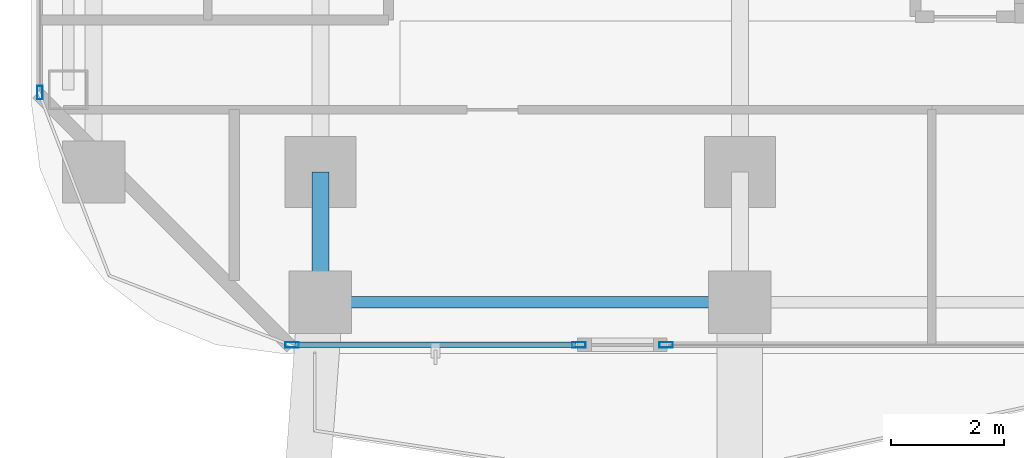
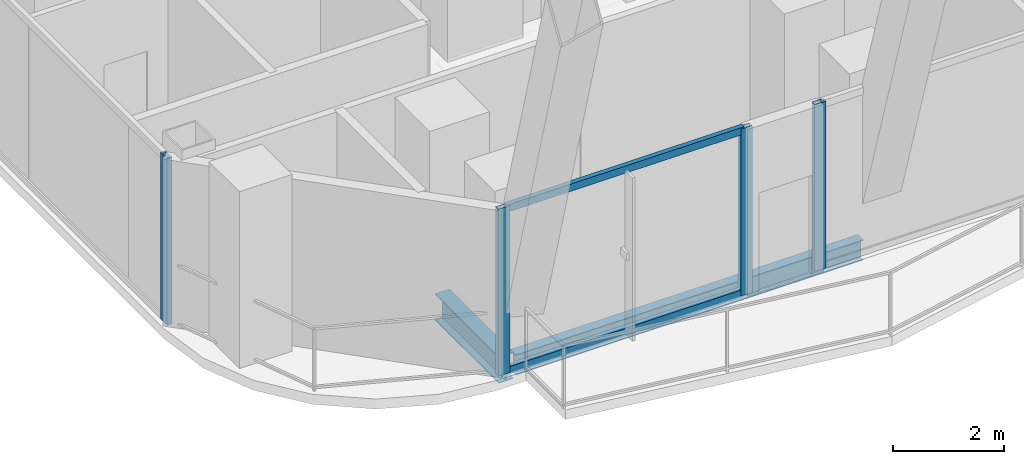
# One storey, part 2 of 30: 6 members, 2 beams, 3 elements without a shape of their own.
"""IFC4 building model written with IfcOpenShell, lengths in metres."""

from ifc_helpers import new_model, si_unit, direction, frame, origin, origin_2d, place, context, subcontext, project, spatial, hollow_rectangle, i_section, extrude, material, layer, layer_set, material_profile, profile_set, type_object, element, aggregate, save


model = new_model("IFC4")

# Units and contexts
model_context = context("Model", 3, precision=1e-05, world=origin(), true_north=direction((0.0, 1.0)))
body_context = subcontext(model_context, "Body", "Model", "MODEL_VIEW")
ifc_project = project(units=[si_unit("LENGTHUNIT", "METRE"), si_unit("AREAUNIT", "SQUARE_METRE"), si_unit("VOLUMEUNIT", "CUBIC_METRE"), si_unit("PLANEANGLEUNIT", "RADIAN"), si_unit("MASSUNIT", "GRAM", prefix="KILO")], contexts=[model_context])

# Site, building, storey
site_placement = place(None, origin())
site = spatial("IfcSite", under=ifc_project, at=site_placement, CompositionType="ELEMENT")
building_placement = place(site_placement, origin())
building = spatial("IfcBuilding", under=site, at=building_placement, Name="Khorvyn Point Tower", CompositionType="ELEMENT")
storey_placement = place(building_placement, frame((0.0, 0.0, 117.300048828125)))
storey = spatial("IfcBuildingStorey", under=building, at=storey_placement, Name="L29", CompositionType="ELEMENT", Elevation=117.300048828125)

# Curtain wall, member
ifc_material_1 = material(Name="Anodised aluminium 6063-T6 and laminated Low-E glass", Category="aluminium")
ifc_layer = layer(ifc_material_1, 0.18994140625)
ifc_layer_set = layer_set([ifc_layer], Name="Stick-Built Acoustic Curtain Wall CW-SYS-03")
curtain_wall_type = type_object("IfcCurtainWallType", Name="Stick-Built Acoustic Curtain Wall CW-SYS-03", PredefinedType="NOTDEFINED", material=ifc_layer_set)
curtain_wall_1_placement = place(storey_placement, origin())
curtain_wall_1 = element("IfcCurtainWall", 1, at=curtain_wall_1_placement, inside=storey, type_object=curtain_wall_type, Name="Curtain Wall", PredefinedType="NOTDEFINED")
ifc_material_2 = material(Name="Anodised aluminium 6063-T6", Category="aluminium")
ifc_material_profile_1 = material_profile(ifc_material_2, hollow_rectangle(XDim=0.10009765625, YDim=0.239990234375, WallThickness=0.0048828125, at=origin_2d()))
ifc_profile_set_1 = profile_set([ifc_material_profile_1], Name="Anodised aluminium 6063-T6 ALU-MUL-100x240")
member_type_1 = type_object("IfcMemberType", Name="Anodised Aluminium 6063-T6 Mullion ALU-MUL-100x240", PredefinedType="MULLION", material=ifc_profile_set_1)
member_1_placement = place(storey_placement, frame((-8.700927734375, -17.85009765625, 0.0), z_axis=(0.0, 0.0, 1.0), x_axis=(0.0, -1.0, 0.0)))
member_1 = element("IfcMember", 2, at=member_1_placement, type_object=member_type_1, Name="Transom", PredefinedType="MULLION", context=body_context, shape_type="SweptSolid", body=[
    extrude(hollow_rectangle(XDim=0.10009765625, YDim=0.239990234375, WallThickness=0.0048828125, at=origin_2d()), origin(), (0.0, 0.0, 1.0), 3.679931640625),
])
aggregate(curtain_wall_1, [member_1])

# Curtain wall, members
curtain_wall_2_placement = place(storey_placement, origin())
curtain_wall_2 = element("IfcCurtainWall", 3, at=curtain_wall_2_placement, inside=storey, type_object=curtain_wall_type, Name="Curtain Wall", PredefinedType="NOTDEFINED")
member_2_placement = place(storey_placement, frame((-10.240966796875, -17.85009765625, 0.0), z_axis=(0.0, 0.0, 1.0), x_axis=(0.0, -1.0, 0.0)))
member_2 = element("IfcMember", 4, at=member_2_placement, type_object=member_type_1, Name="Transom", PredefinedType="MULLION", context=body_context, shape_type="SweptSolid", body=[
    extrude(hollow_rectangle(XDim=0.10009765625, YDim=0.239990234375, WallThickness=0.0048828125, at=origin_2d()), origin(), (0.0, 0.0, 1.0), 3.679931640625),
])
member_3_placement = place(storey_placement, frame((-15.300048828125, -17.85009765625, 0.0), z_axis=(0.0, 0.0, 1.0), x_axis=(0.0, -1.0, 0.0)))
member_3 = element("IfcMember", 5, at=member_3_placement, type_object=member_type_1, Name="Transom", PredefinedType="MULLION", context=body_context, shape_type="SweptSolid", body=[
    extrude(hollow_rectangle(XDim=0.10009765625, YDim=0.239990234375, WallThickness=0.0048828125, at=origin_2d()), origin(), (0.0, 0.0, 1.0), 3.679931640625),
])

# Curtain wall, member
curtain_wall_3_placement = place(storey_placement, origin())
curtain_wall_3 = element("IfcCurtainWall", 6, at=curtain_wall_3_placement, inside=storey, type_object=curtain_wall_type, Name="Curtain Wall", PredefinedType="NOTDEFINED")
member_4_placement = place(storey_placement, frame((-19.75, -13.39990234375, 0.0), z_axis=(0.0, 0.0, 1.0), x_axis=(-1.0, 0.0, 0.0)))
member_4 = element("IfcMember", 7, at=member_4_placement, type_object=member_type_1, Name="Transom", PredefinedType="MULLION", context=body_context, shape_type="SweptSolid", body=[
    extrude(hollow_rectangle(XDim=0.10009765625, YDim=0.239990234375, WallThickness=0.0048828125, at=origin_2d()), origin(), (0.0, 0.0, 1.0), 3.679931640625),
])
aggregate(curtain_wall_3, [member_4])

# Member
ifc_material_profile_2 = material_profile(ifc_material_2, hollow_rectangle(XDim=0.10009765625, YDim=0.159912109375, WallThickness=0.00439453125, at=origin_2d()))
ifc_profile_set_2 = profile_set([ifc_material_profile_2], Name="Anodised aluminium 6063-T6 ALU-TRN-100x160")
member_type_2 = type_object("IfcMemberType", Name="Anodised Aluminium 6063-T6 Transom ALU-TRN-100x160", PredefinedType="USERDEFINED", material=ifc_profile_set_2)
member_5_placement = place(storey_placement, frame((-10.291015625, -17.85009765625, 0.050048828125), z_axis=(-1.0, 0.0, 0.0), x_axis=(0.0, -1.0, 0.0)))
member_5 = element("IfcMember", 8, at=member_5_placement, type_object=member_type_2, Name="Transom", ObjectType="TRANSOM", PredefinedType="USERDEFINED", context=body_context, shape_type="SweptSolid", body=[
    extrude(hollow_rectangle(XDim=0.10009765625, YDim=0.159912109375, WallThickness=0.00439453125, at=origin_2d()), origin(), (0.0, 0.0, 1.0), 4.958984375),
])

member_6_placement = place(storey_placement, frame((-10.291015625, -17.85009765625, 3.6298828125), z_axis=(-1.0, 0.0, 0.0), x_axis=(0.0, -1.0, 0.0)))
member_6 = element("IfcMember", 9, at=member_6_placement, type_object=member_type_2, Name="Transom", ObjectType="TRANSOM", PredefinedType="USERDEFINED", context=body_context, shape_type="SweptSolid", body=[
    extrude(hollow_rectangle(XDim=0.10009765625, YDim=0.159912109375, WallThickness=0.00439453125, at=origin_2d()), origin(), (0.0, 0.0, 1.0), 4.958984375),
])

aggregate(curtain_wall_2, [member_2, member_3, member_5, member_6])

# Beams
ifc_material_3 = material(Name="Steel S355", Category="steel")
ifc_material_profile_3 = material_profile(ifc_material_3, i_section(OverallWidth=0.300048828125, OverallDepth=0.587890625, WebThickness=0.011962890625, FlangeThickness=0.02001953125, at=origin_2d()))
ifc_profile_set_3 = profile_set([ifc_material_profile_3], Name="Steel S355 H588x300x12x20")
beam_type_1 = type_object("IfcBeamType", Name="Steel S355 Beam H588x300x12x20", PredefinedType="BEAM", material=ifc_profile_set_3)
beam_1_placement = place(storey_placement, frame((-14.800048828125, -17.10009765625, -0.51416015625), z_axis=(0.0, 1.0, 0.0), x_axis=(-1.0, 0.0, 0.0)))
element("IfcBeam", 10, at=beam_1_placement, inside=storey, type_object=beam_type_1, Name="Beam", PredefinedType="BEAM", context=body_context, shape_type="SweptSolid", body=[
    extrude(i_section(OverallWidth=0.300048828125, OverallDepth=0.587890625, WebThickness=0.011962890625, FlangeThickness=0.02001953125, at=origin_2d()), origin(), (0.0, 0.0, 1.0), 2.300048828125),
])
ifc_material_profile_4 = material_profile(ifc_material_3, i_section(OverallWidth=0.199951171875, OverallDepth=0.449951171875, WebThickness=0.009033203125, FlangeThickness=0.013916015625, at=origin_2d()))
ifc_profile_set_4 = profile_set([ifc_material_profile_4], Name="Steel S355 H450x200x9x14")
beam_type_2 = type_object("IfcBeamType", Name="Steel S355 Spandrel H450x200x9x14", PredefinedType="SPANDREL", material=ifc_profile_set_4)
beam_2_placement = place(storey_placement, frame((-14.64990234375, -17.10009765625, -0.445068359375), z_axis=(1.0, 0.0, 0.0), x_axis=(0.0, 1.0, 0.0)))
element("IfcBeam", 11, at=beam_2_placement, inside=storey, type_object=beam_type_2, Name="Beam", PredefinedType="SPANDREL", context=body_context, shape_type="SweptSolid", body=[
    extrude(i_section(OverallWidth=0.199951171875, OverallDepth=0.449951171875, WebThickness=0.009033203125, FlangeThickness=0.013916015625, at=origin_2d()), origin(), (0.0, 0.0, 1.0), 7.25),
])

save(model, "model.ifc")
